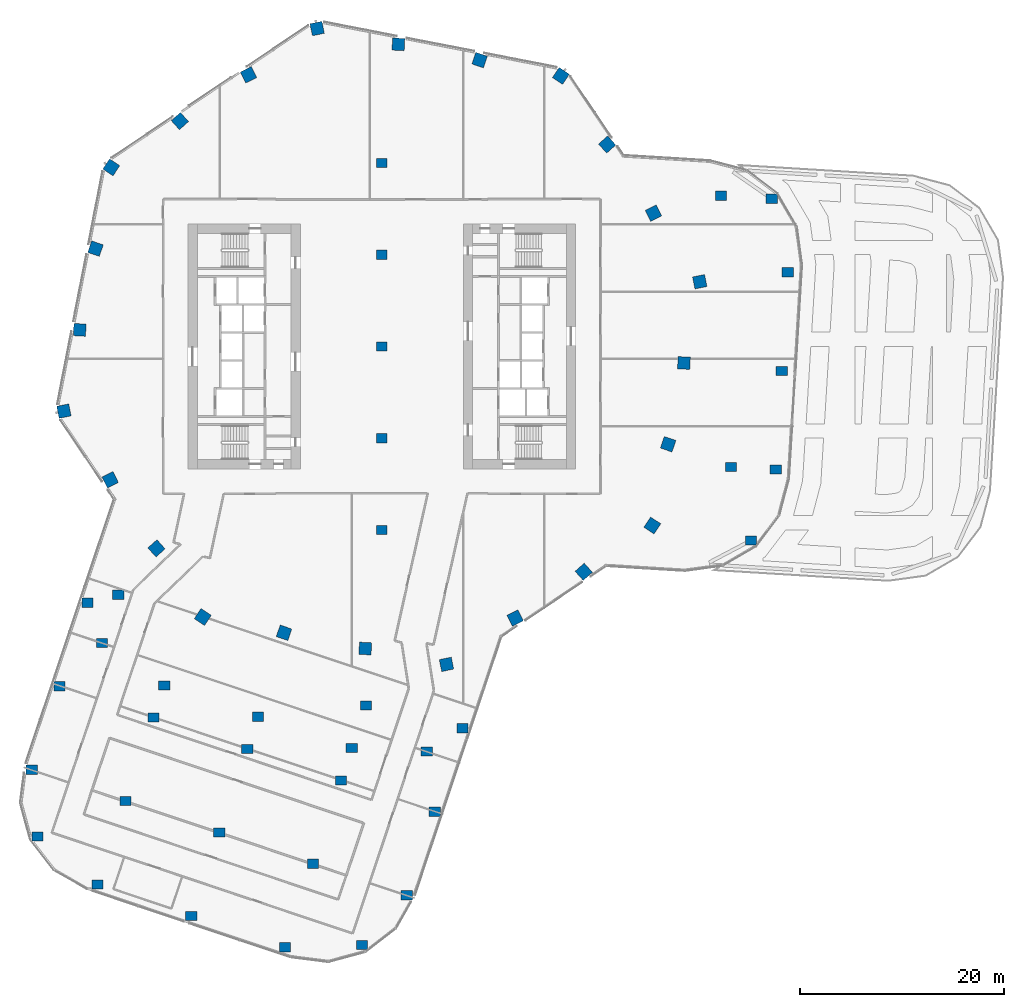
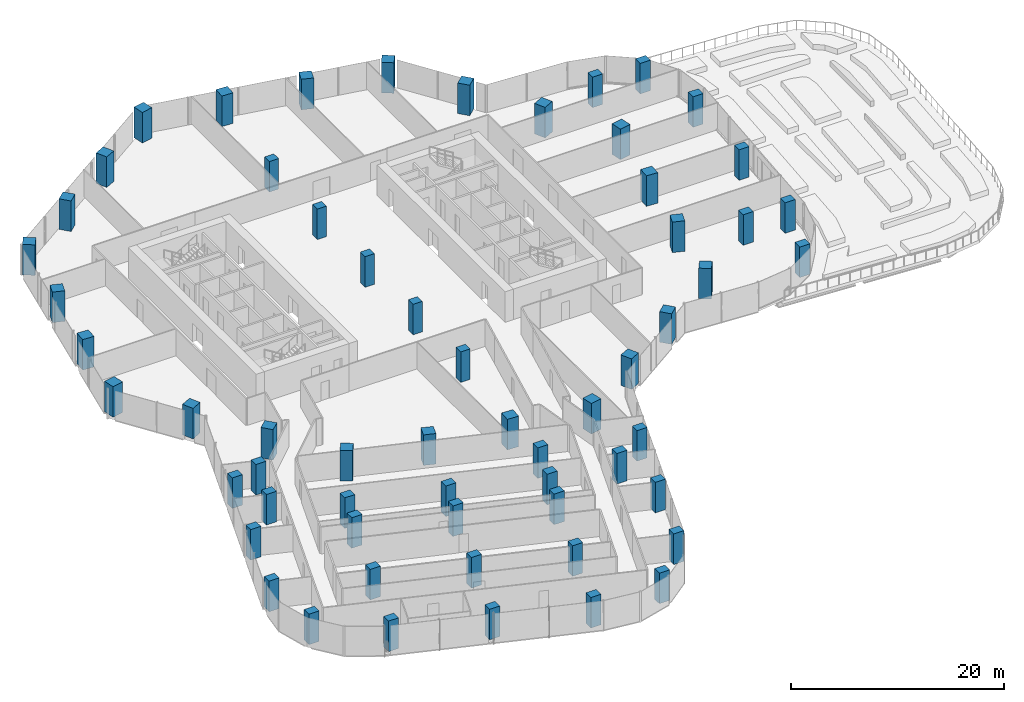
# One storey, part 1 of 26: 60 columns.
"""IFC4 building model written with IfcOpenShell, lengths in metres."""

import ifcopenshell
import ifcopenshell.guid

model = None  # the IFC model being written
_history = None  # IfcOwnerHistory: only IFC2X3 demands one
_inside = {}  # id of a spatial element -> (the spatial element, [elements in it])
_under = {}  # id of a project, library or spatial element -> (it, [spatial elements below it])
_declared = {}  # id of a project -> (the project, [libraries it declares])
_typed = {}  # id of a type object -> (the type object, [elements of that type])
_made_of = {}  # id of a material, layer set ... -> (it, [elements and type objects made of it])


def new_model(schema):
    """Start an empty IFC model of exactly this schema.

    Asked for "IFC4X3", IfcOpenShell would pick the latest addendum, in which some entities
    have other attributes; the version numbers below select the first issue.
    IFC2X3 requires an IfcOwnerHistory on every rooted entity: one is made here for all.
    """
    global model, _history
    if schema == "IFC4X3":
        model = ifcopenshell.file(schema_version=(4, 3, 0, 0))
    else:
        model = ifcopenshell.file(schema=schema)
    _inside.clear()
    _under.clear()
    _declared.clear()
    _typed.clear()
    _made_of.clear()
    _history = None
    if model.schema == "IFC2X3":
        org = make("IfcOrganization", Name="unknown")
        user = make(
            "IfcPersonAndOrganization",
            ThePerson=make("IfcPerson", FamilyName="unknown"),
            TheOrganization=org,
        )
        app = make(
            "IfcApplication",
            ApplicationDeveloper=org,
            Version="unknown",
            ApplicationFullName="unknown",
            ApplicationIdentifier="unknown",
        )
        _history = make(
            "IfcOwnerHistory",
            OwningUser=user,
            OwningApplication=app,
            ChangeAction="ADDED",
            CreationDate=0,
        )
    return model


def make(cls, **values):
    """One entity of the class cls with the attributes given. An attribute that is None is left unset."""
    return model.create_entity(
        cls, **{name: value for name, value in values.items() if value is not None}
    )


def rooted(cls, **values):
    """An entity with a GlobalId (a new one), such as an element, a storey or a relation."""
    return make(cls, GlobalId=ifcopenshell.guid.new(), OwnerHistory=_history, **values)


def si_unit(unit_type, name, prefix=None):
    """IfcSIUnit, for example si_unit("LENGTHUNIT", "METRE", prefix="MILLI")."""
    return make("IfcSIUnit", UnitType=unit_type, Prefix=prefix, Name=name)


def assignment(units):
    """IfcUnitAssignment: the units of a project."""
    return None if units is None else make("IfcUnitAssignment", Units=units)


def point(xyz):
    """IfcCartesianPoint."""
    return None if xyz is None else make("IfcCartesianPoint", Coordinates=xyz)


def direction(xyz):
    """IfcDirection."""
    return None if xyz is None else make("IfcDirection", DirectionRatios=xyz)


def frame(location, z_axis=None, x_axis=None):
    """IfcAxis2Placement3D, a coordinate frame: its origin and axes. An axis left out is left unset."""
    return make(
        "IfcAxis2Placement3D",
        Location=point(location),
        Axis=direction(z_axis),
        RefDirection=direction(x_axis),
    )


def frame_2d(location, x_axis=None):
    """IfcAxis2Placement2D, a coordinate frame in the plane: its origin and x axis."""
    return make(
        "IfcAxis2Placement2D", Location=point(location), RefDirection=direction(x_axis)
    )


def origin():
    """The frame at (0, 0, 0) with its axes left unset."""
    return frame((0.0, 0.0, 0.0))


def origin_2d():
    """The frame at (0, 0) in the plane with its x axis left unset."""
    return frame_2d((0.0, 0.0))


def place(relative_to, where):
    """IfcLocalPlacement: puts the frame where relative to a parent placement (None: the world)."""
    return make(
        "IfcLocalPlacement", PlacementRelTo=relative_to, RelativePlacement=where
    )


def context(
    kind, dimensions, precision=None, world=None, true_north=None, identifier=None
):
    """IfcGeometricRepresentationContext, for example the 3D "Model" context."""
    return make(
        "IfcGeometricRepresentationContext",
        ContextIdentifier=identifier,
        ContextType=kind,
        CoordinateSpaceDimension=dimensions,
        Precision=precision,
        WorldCoordinateSystem=world,
        TrueNorth=true_north,
    )


def subcontext(parent, identifier, kind, view, scale=None):
    """IfcGeometricRepresentationSubContext, for example "Body" below "Model"."""
    return make(
        "IfcGeometricRepresentationSubContext",
        ContextIdentifier=identifier,
        ContextType=kind,
        ParentContext=parent,
        TargetScale=scale,
        TargetView=view,
    )


def project(units=None, contexts=None):
    """IfcProject with its units and contexts."""
    return rooted(
        "IfcProject",
        Name="project",
        RepresentationContexts=contexts,
        UnitsInContext=assignment(units),
    )


def spatial(cls, under=None, at=None, **own):
    """A site, building, storey or space (cls), placed at a placement, below another one or the project."""
    s = rooted(cls, ObjectPlacement=at, **own)
    if under is not None:
        _under.setdefault(under.id(), (under, []))[1].append(s)
    return s


def profile(cls, at=None, kind="AREA", **sizes):
    """A parametric profile (cls). Its sizes go by their IFC names, for example OverallWidth=200.0."""
    return make(cls, ProfileType=kind, Position=at, **sizes)


def rectangle(**sizes):
    """IfcRectangleProfileDef."""
    return profile("IfcRectangleProfileDef", **sizes)


def extrude(swept, where, along, depth):
    """IfcExtrudedAreaSolid: the profile swept, set in the frame where, extruded along a direction by depth."""
    return make(
        "IfcExtrudedAreaSolid",
        SweptArea=swept,
        Position=where,
        ExtrudedDirection=direction(along),
        Depth=depth,
    )


def shape(context_of_items, identifier, shape_type, items):
    """IfcShapeRepresentation: the items that make up one representation, for example the "Body"."""
    return make(
        "IfcShapeRepresentation",
        ContextOfItems=context_of_items,
        RepresentationIdentifier=identifier,
        RepresentationType=shape_type,
        Items=items,
    )


def material(Name=None, Category=None):
    """IfcMaterial."""
    return make("IfcMaterial", Name=Name, Category=Category)


def material_profile(
    of_material, cross_section, Name=None, Category=None, Priority=None
):
    """IfcMaterialProfile: a cross section and its material."""
    return make(
        "IfcMaterialProfile",
        Name=Name,
        Material=of_material,
        Profile=cross_section,
        Priority=Priority,
        Category=Category,
    )


def profile_set(profiles, Name=None, composite=None):
    """IfcMaterialProfileSet."""
    return make(
        "IfcMaterialProfileSet",
        Name=Name,
        MaterialProfiles=profiles,
        CompositeProfile=composite,
    )


def made_of(thing, what):
    """Note that an element or type object is made of a material, layer set ...; save() writes the relation."""
    if what is not None:
        _made_of.setdefault(what.id(), (what, []))[1].append(thing)
    return thing


def type_object(cls, material=None, **own):
    """A type object (cls), such as IfcWallType, which elements share."""
    return made_of(rooted(cls, **own), material)


def element(
    cls,
    number,
    at=None,
    inside=None,
    cuts=None,
    type_object=None,
    material=None,
    context=None,
    identifier="Body",
    shape_type=None,
    held_by="IfcProductDefinitionShape",
    body=None,
    shapes=None,
    **own,
):
    """One element of the class cls, such as IfcWall. Its Tag is "e" and its number.

    at: its placement. inside: the storey or other place that contains it. cuts: it is an
    opening in that element (IfcRelVoidsElement). A single representation is given by context,
    identifier, shape_type and body (its items); several are given by shapes. held_by: the class
    of the entity that holds the representations. save() writes the other relations.
    """
    e = rooted(cls, Tag="e%d" % number, ObjectPlacement=at, **own)
    if body is not None:
        shapes = [shape(context, identifier, shape_type, body)]
    if shapes is not None:
        e.Representation = make(held_by, Representations=shapes)
    if inside is not None:
        _inside.setdefault(inside.id(), (inside, []))[1].append(e)
    if cuts is not None:
        rooted(
            "IfcRelVoidsElement", RelatingBuildingElement=cuts, RelatedOpeningElement=e
        )
    if type_object is not None:
        _typed.setdefault(type_object.id(), (type_object, []))[1].append(e)
    return made_of(e, material)


def aggregate(whole, parts):
    """IfcRelAggregates: a whole, such as a stair, and the parts it consists of."""
    return rooted("IfcRelAggregates", RelatingObject=whole, RelatedObjects=parts)


def save(model, path):
    """Write the relations noted so far, then the file.

    IfcRelAggregates (storeys below a building ...), IfcRelContainedInSpatialStructure (elements
    in a storey), IfcRelDefinesByType, IfcRelAssociatesMaterial and IfcRelDeclares: one each for
    every whole, place, type object, material and project.
    """
    for whole, parts in _under.values():
        aggregate(whole, parts)
    for where, things in _inside.values():
        rooted(
            "IfcRelContainedInSpatialStructure",
            RelatedElements=things,
            RelatingStructure=where,
        )
    for kind, things in _typed.values():
        rooted("IfcRelDefinesByType", RelatedObjects=things, RelatingType=kind)
    for what, things in _made_of.values():
        rooted("IfcRelAssociatesMaterial", RelatedObjects=things, RelatingMaterial=what)
    for by, libraries in _declared.values():
        rooted("IfcRelDeclares", RelatingContext=by, RelatedDefinitions=libraries)
    model.write(path)


model = new_model("IFC4")

# Units and contexts
model_context = context("Model", 3, precision=1e-05, world=origin(), true_north=direction((0.0, 1.0)))
body_context = subcontext(model_context, "Body", "Model", "MODEL_VIEW")
ifc_project = project(units=[si_unit("LENGTHUNIT", "METRE"), si_unit("AREAUNIT", "SQUARE_METRE"), si_unit("VOLUMEUNIT", "CUBIC_METRE"), si_unit("PLANEANGLEUNIT", "RADIAN"), si_unit("MASSUNIT", "GRAM", prefix="KILO")], contexts=[model_context])

# Site, building, storey
site_placement = place(None, origin())
site = spatial("IfcSite", under=ifc_project, at=site_placement, CompositionType="ELEMENT")
building_placement = place(site_placement, origin())
building = spatial("IfcBuilding", under=site, at=building_placement, Name="Orlundy Tower", CompositionType="ELEMENT")
storey_placement = place(building_placement, frame((0.0, 0.0, 156.10009765625)))
storey = spatial("IfcBuildingStorey", under=building, at=storey_placement, Name="L40", CompositionType="ELEMENT", Elevation=156.10009765625)

# Columns
ifc_material_1 = material(Name="Concrete C70/85", Category="concrete")
ifc_material_profile_1 = material_profile(ifc_material_1, rectangle(XDim=1.0, YDim=0.89990234375, at=origin_2d()), Name="RC1000X900")
ifc_profile_set_1 = profile_set([ifc_material_profile_1], Name="Concrete C70/85")
column_type_1 = type_object("IfcColumnType", Name="RC COLUMN RC1000X900 C70/85", PredefinedType="COLUMN", material=ifc_profile_set_1)
for number, where, z_axis, x_axis, name in (
    (1, (0.0, -18.0, 0.0), (0.0, 0.0, 1.0), (1.0, 0.0, 0.0), "Column C-M1 L40"),
    (2, (0.0, -9.0, 0.0), (0.0, 0.0, 1.0), (1.0, 0.0, 0.0), "Column C-M2 L40"),
    (3, (0.0, 0.0, 0.0), (0.0, 0.0, 1.0), (1.0, 0.0, 0.0), "Column C-M3 L40"),
    (4, (0.0, 9.0, 0.0), (0.0, 0.0, 1.0), (1.0, 0.0, 0.0), "Column C-M4 L40"),
    (5, (0.0, 18.0, 0.0), (0.0, 0.0, 1.0), (1.0, 0.0, 0.0), "Column C-M5 L40"),
):
    element("IfcColumn", number, at=place(storey_placement, frame(where, z_axis=z_axis, x_axis=x_axis)), inside=storey, type_object=column_type_1, Name=name, PredefinedType="COLUMN", context=body_context, shape_type="SweptSolid", body=[
        extrude(rectangle(XDim=1.0, YDim=0.89990234375, at=origin_2d()), origin(), (0.0, 0.0, 1.0), 3.5),
    ])
ifc_material_2 = material(Name="Concrete C70/85", Category="concrete")
ifc_material_profile_2 = material_profile(ifc_material_2, rectangle(XDim=1.10009765625, YDim=0.89990234375, at=origin_2d()), Name="RC1100X900")
ifc_profile_set_2 = profile_set([ifc_material_profile_2], Name="Concrete C70/85")
column_type_2 = type_object("IfcColumnType", Name="RC COLUMN RC1100X900 C70/85", PredefinedType="COLUMN", material=ifc_profile_set_2)
for number, where, z_axis, x_axis, name in (
    (6, (36.197998046875, -19.0390625, 0.0), (0.0, 0.0, 1.0), (1.0, 0.0, 0.0), "Column C-A1-6 L40"),
    (7, (38.635009765625, -12.0810546875, 0.0), (0.0, 0.0, 1.0), (1.0, 0.0, 0.0), "Column C-A2-6 L40"),
    (8, (34.242919921875, -11.81298828125, 0.0), (0.0, 0.0, 1.0), (1.0, 0.0, 0.0), "Column C-A2-7 L40"),
    (9, (39.22705078125, -2.39892578125, 0.0), (0.0, 0.0, 1.0), (1.0, 0.0, 0.0), "Column C-A3-6 L40"),
    (10, (39.819091796875, 7.282958984375, 0.0), (0.0, 0.0, 1.0), (1.0, 0.0, 0.0), "Column C-A4-6 L40"),
    (11, (38.2490234375, 14.485107421875, 0.0), (0.0, 0.0, 1.0), (1.0, 0.0, 0.0), "Column C-A5-6 L40"),
    (12, (33.258056640625, 14.7900390625, 0.0), (0.0, 0.0, 1.0), (1.0, 0.0, 0.0), "Column C-A5-7 L40"),
    (13, (-28.868896484375, -25.138916015625, 0.0), (0.0, 0.0, 1.0), (1.0, 0.0, 0.0), "Column C-B1-1 L40"),
    (14, (-31.60791015625, -33.325927734375, 0.0), (0.0, 0.0, 1.0), (1.0, 0.0, 0.0), "Column C-B1-2 L40"),
    (15, (-34.343994140625, -41.514892578125, 0.0), (0.0, 0.0, 1.0), (1.0, 0.0, 0.0), "Column C-B1-3 L40"),
    (16, (-33.7880859375, -48.055908203125, 0.0), (0.0, 0.0, 1.0), (1.0, 0.0, 0.0), "Column C-B1-5 L40"),
    (17, (-27.44091796875, -29.089111328125, 0.0), (0.0, 0.0, 1.0), (1.0, 0.0, 0.0), "Column C-B1-6 L40"),
    (18, (-25.85498046875, -24.347900390625, 0.0), (0.0, 0.0, 1.0), (1.0, 0.0, 0.0), "Column C-B1-7 L40"),
    (19, (-22.408935546875, -36.404052734375, 0.0), (0.0, 0.0, 1.0), (1.0, 0.0, 0.0), "Column C-B2-2 L40"),
    (20, (-25.14892578125, -44.591064453125, 0.0), (0.0, 0.0, 1.0), (1.0, 0.0, 0.0), "Column C-B2-3 L40"),
    (21, (-27.887939453125, -52.778076171875, 0.0), (0.0, 0.0, 1.0), (1.0, 0.0, 0.0), "Column C-B2-5 L40"),
    (22, (-21.35205078125, -33.242919921875, 0.0), (0.0, 0.0, 1.0), (1.0, 0.0, 0.0), "Column C-B2-6 L40"),
    (23, (-13.2099609375, -39.48193359375, 0.0), (0.0, 0.0, 1.0), (1.0, 0.0, 0.0), "Column C-B3-2 L40"),
    (24, (-15.949951171875, -47.6689453125, 0.0), (0.0, 0.0, 1.0), (1.0, 0.0, 0.0), "Column C-B3-3 L40"),
    (25, (-18.68896484375, -55.85595703125, 0.0), (0.0, 0.0, 1.0), (1.0, 0.0, 0.0), "Column C-B3-5 L40"),
    (26, (-12.153076171875, -36.321044921875, 0.0), (0.0, 0.0, 1.0), (1.0, 0.0, 0.0), "Column C-B3-6 L40"),
    (27, (-4.011962890625, -42.56005859375, 0.0), (0.0, 0.0, 1.0), (1.0, 0.0, 0.0), "Column C-B4-2 L40"),
    (28, (-6.7509765625, -50.7470703125, 0.0), (0.0, 0.0, 1.0), (1.0, 0.0, 0.0), "Column C-B4-3 L40"),
    (29, (-9.490966796875, -58.93408203125, 0.0), (0.0, 0.0, 1.0), (1.0, 0.0, 0.0), "Column C-B4-5 L40"),
    (30, (-2.9541015625, -39.39892578125, 0.0), (0.0, 0.0, 1.0), (1.0, 0.0, 0.0), "Column C-B4-6 L40"),
    (31, (-1.55810546875, -35.22607421875, 0.0), (0.0, 0.0, 1.0), (1.0, 0.0, 0.0), "Column C-B4-7 L40"),
    (32, (7.926025390625, -37.449951171875, 0.0), (0.0, 0.0, 1.0), (1.0, 0.0, 0.0), "Column C-B5-1 L40"),
    (33, (5.18701171875, -45.637939453125, 0.0), (0.0, 0.0, 1.0), (1.0, 0.0, 0.0), "Column C-B5-2 L40"),
    (34, (2.444091796875, -53.822998046875, 0.0), (0.0, 0.0, 1.0), (1.0, 0.0, 0.0), "Column C-B5-3 L40"),
    (35, (-1.93701171875, -58.712890625, 0.0), (0.0, 0.0, 1.0), (1.0, 0.0, 0.0), "Column C-B5-5 L40"),
    (36, (4.408935546875, -39.74609375, 0.0), (0.0, 0.0, 1.0), (1.0, 0.0, 0.0), "Column C-B5-6 L40"),
):
    element("IfcColumn", number, at=place(storey_placement, frame(where, z_axis=z_axis, x_axis=x_axis)), inside=storey, type_object=column_type_2, Name=name, PredefinedType="COLUMN", context=body_context, shape_type="SweptSolid", body=[
        extrude(rectangle(XDim=1.10009765625, YDim=0.89990234375, at=origin_2d()), origin(), (0.0, 0.0, 1.0), 3.5),
    ])
ifc_material_3 = material(Name="Concrete C70/85", Category="concrete")
ifc_material_profile_3 = material_profile(ifc_material_3, rectangle(XDim=1.199951171875, YDim=1.199951171875, at=origin_2d()), Name="RC1200X1200")
ifc_profile_set_3 = profile_set([ifc_material_profile_3], Name="Concrete C70/85")
column_type_3 = type_object("IfcColumnType", Name="RC COLUMN RC1200X1200 C70/85", PredefinedType="COLUMN", material=ifc_profile_set_3)
for number, where, z_axis, x_axis, name in (
    (37, (17.56396484375, 26.535888671875, 0.0), (0.0, 0.0, 1.0), (0.551936985312, 0.833885822067, 0.0), "Column C-H01 L40"),
    (38, (22.10400390625, 19.805908203125, 0.0), (0.0, 0.0, 1.0), (0.744754305823, 0.667338762517, 0.0), "Column C-H02 L40"),
    (39, (26.64404296875, 13.074951171875, 0.0), (0.0, 0.0, 1.0), (0.897727910651, 0.440550335873, 0.0), "Column C-H03 L40"),
    (40, (31.18310546875, 6.343994140625, 0.0), (0.0, 0.0, 1.0), (0.979924704621, 0.199367934417, 0.0), "Column C-H04 L40"),
    (41, (29.634033203125, -1.625, 0.0), (0.0, 0.0, 1.0), (0.998499628726, -0.054758482756, 0.0), "Column C-H05 L40"),
    (42, (28.0849609375, -9.593994140625, 0.0), (0.0, 0.0, 1.0), (0.946311265272, -0.323256847134, 0.0), "Column C-H06 L40"),
    (43, (26.535888671875, -17.56396484375, 0.0), (0.0, 0.0, 1.0), (0.833885822067, -0.551936985312, 0.0), "Column C-H07 L40"),
    (44, (19.805908203125, -22.10400390625, 0.0), (0.0, 0.0, 1.0), (0.667338762517, -0.744754305823, 0.0), "Column C-H08 L40"),
    (45, (13.074951171875, -26.64404296875, 0.0), (0.0, 0.0, 1.0), (0.440550335873, -0.897727910651, 0.0), "Column C-H09 L40"),
    (46, (6.343994140625, -31.18310546875, 0.0), (0.0, 0.0, 1.0), (0.199367934417, -0.979924704621, 0.0), "Column C-H10 L40"),
    (47, (-1.625, -29.634033203125, 0.0), (0.0, 0.0, 1.0), (-0.054758482756, -0.998499628726, 0.0), "Column C-H11 L40"),
    (48, (-9.593994140625, -28.0849609375, 0.0), (0.0, 0.0, 1.0), (-0.323256847134, -0.946311265272, 0.0), "Column C-H12 L40"),
    (49, (-17.56396484375, -26.535888671875, 0.0), (0.0, 0.0, 1.0), (-0.551936985312, -0.833885822067, 0.0), "Column C-H13 L40"),
    (50, (-22.10400390625, -19.805908203125, 0.0), (0.0, 0.0, 1.0), (-0.744754305823, -0.667338762517, 0.0), "Column C-H14 L40"),
    (51, (-26.64404296875, -13.074951171875, 0.0), (0.0, 0.0, 1.0), (-0.897727910651, -0.440550335873, 0.0), "Column C-H15 L40"),
    (52, (-31.18310546875, -6.343994140625, 0.0), (0.0, 0.0, 1.0), (-0.979924704621, -0.199367934417, 0.0), "Column C-H16 L40"),
    (53, (-29.634033203125, 1.625, 0.0), (0.0, 0.0, 1.0), (-0.998499628726, 0.054758482756, 0.0), "Column C-H17 L40"),
    (54, (-28.0849609375, 9.593994140625, 0.0), (0.0, 0.0, 1.0), (-0.946311265272, 0.323256847134, 0.0), "Column C-H18 L40"),
    (55, (-26.535888671875, 17.56396484375, 0.0), (0.0, 0.0, 1.0), (-0.833885822067, 0.551936985312, 0.0), "Column C-H19 L40"),
    (56, (-19.805908203125, 22.10400390625, 0.0), (0.0, 0.0, 1.0), (-0.667338762517, 0.744754305823, 0.0), "Column C-H20 L40"),
    (57, (-13.074951171875, 26.64404296875, 0.0), (0.0, 0.0, 1.0), (-0.440550335873, 0.897727910651, 0.0), "Column C-H21 L40"),
    (58, (-6.343994140625, 31.18310546875, 0.0), (0.0, 0.0, 1.0), (-0.199367934417, 0.979924704621, 0.0), "Column C-H22 L40"),
    (59, (1.625, 29.634033203125, 0.0), (0.0, 0.0, 1.0), (0.054758482756, 0.998499628726, 0.0), "Column C-H23 L40"),
    (60, (9.593994140625, 28.0849609375, 0.0), (0.0, 0.0, 1.0), (0.323256847134, 0.946311265272, 0.0), "Column C-H24 L40"),
):
    element("IfcColumn", number, at=place(storey_placement, frame(where, z_axis=z_axis, x_axis=x_axis)), inside=storey, type_object=column_type_3, Name=name, PredefinedType="COLUMN", context=body_context, shape_type="SweptSolid", body=[
        extrude(rectangle(XDim=1.199951171875, YDim=1.199951171875, at=origin_2d()), origin(), (0.0, 0.0, 1.0), 3.5),
    ])

save(model, "model.ifc")
